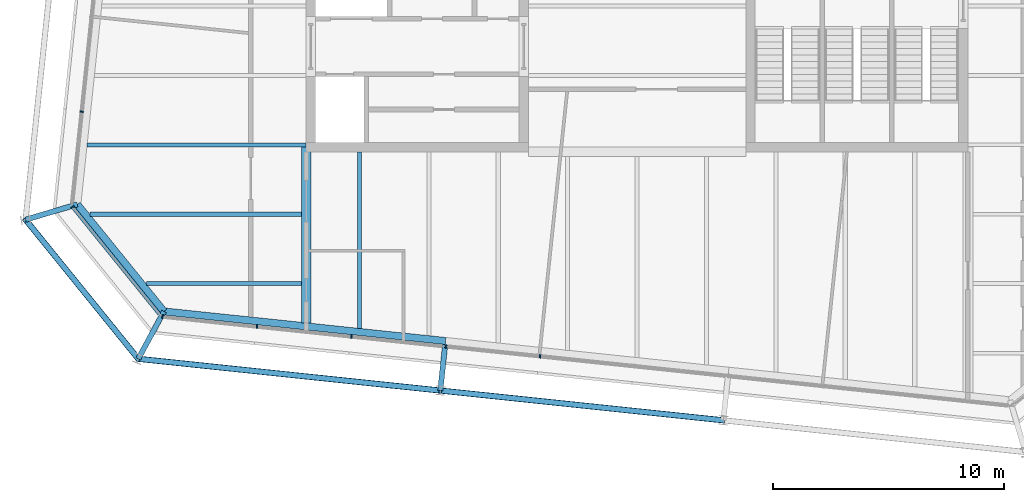
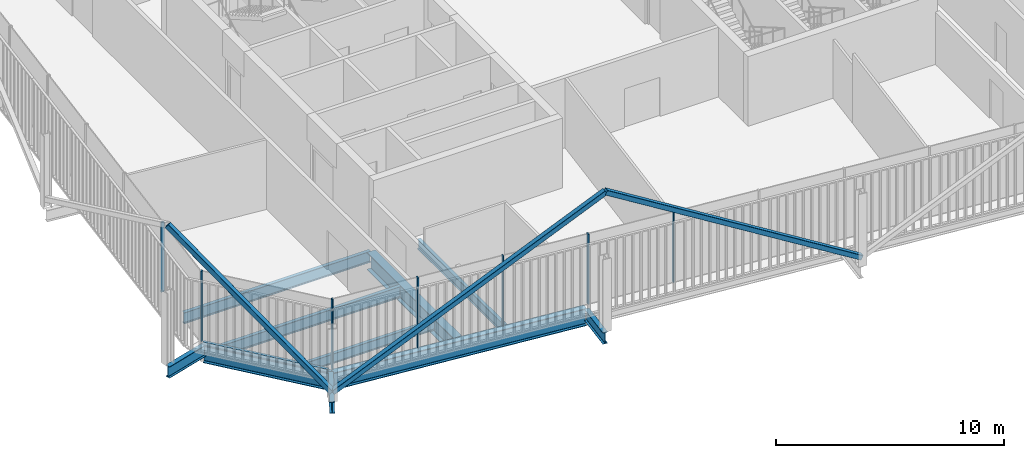
# One storey, part 3 of 21: 11 members, 10 beams, 3 elements without a shape of their own.
"""IFC4 building model written with IfcOpenShell, lengths in metres."""

from ifc_helpers import new_model, si_unit, direction, frame, origin, origin_2d, place, context, subcontext, project, spatial, rectangle, hollow_rectangle, i_section, extrude, material, layer, layer_set, material_profile, profile_set, type_object, element, aggregate, save


model = new_model("IFC4")

# Units and contexts
model_context = context("Model", 3, precision=1e-05, world=origin(), true_north=direction((0.0, 1.0)))
body_context = subcontext(model_context, "Body", "Model", "MODEL_VIEW")
ifc_project = project(units=[si_unit("LENGTHUNIT", "METRE"), si_unit("AREAUNIT", "SQUARE_METRE"), si_unit("VOLUMEUNIT", "CUBIC_METRE"), si_unit("PLANEANGLEUNIT", "RADIAN"), si_unit("MASSUNIT", "GRAM", prefix="KILO")], contexts=[model_context])

# Site, building, storey
site_placement = place(None, origin())
site = spatial("IfcSite", under=ifc_project, at=site_placement, CompositionType="ELEMENT")
building_placement = place(site_placement, origin())
building = spatial("IfcBuilding", under=site, at=building_placement, Name="Millrace Tower", CompositionType="ELEMENT")
storey_placement = place(building_placement, frame((0.0, 0.0, 299.39990234375)))
storey = spatial("IfcBuildingStorey", under=building, at=storey_placement, Name="L69", CompositionType="ELEMENT", Elevation=299.39990234375)

# Curtain wall, member
ifc_material_1 = material(Name="Aluminium and glass", Category="aluminium")
ifc_layer = layer(ifc_material_1, 0.14990234375)
ifc_layer_set = layer_set([ifc_layer], Name="Aluminium and glass")
curtain_wall_type = type_object("IfcCurtainWallType", Name="CW-1 office vision curtain wall", PredefinedType="NOTDEFINED", material=ifc_layer_set)
placement = place(storey_placement, origin())
curtain_wall_1 = element("IfcCurtainWall", 1, at=placement, inside=storey, type_object=curtain_wall_type, Name="Curtain wall E-F01 L69", PredefinedType="NOTDEFINED")
ifc_material_2 = material(Name="Aluminium", Category="aluminium")
ifc_material_profile_1 = material_profile(ifc_material_2, rectangle(XDim=0.06494140625, YDim=0.14990234375, at=origin_2d()))
ifc_profile_set_1 = profile_set([ifc_material_profile_1], Name="Aluminium")
member_type_1 = type_object("IfcMemberType", Name="CW-1 office vision curtain wall mullion", PredefinedType="MULLION", material=ifc_profile_set_1)
member_1_placement = place(storey_placement, frame((-24.391845703125, -11.693359375, 0.14013671875), z_axis=(0.0, 0.0, 1.0), x_axis=(0.629320278945, -0.777146052237, 0.0)))
member_1 = element("IfcMember", 2, at=member_1_placement, type_object=member_type_1, Name="CW1 mullion E-F01.1", PredefinedType="MULLION", context=body_context, shape_type="SweptSolid", body=[
    extrude(rectangle(XDim=0.06494140625, YDim=0.14990234375, at=origin_2d()), origin(), (0.0, 0.0, 1.0), 3.760009765625),
])

# Curtain wall, members
curtain_wall_2 = element("IfcCurtainWall", 3, at=placement, inside=storey, type_object=curtain_wall_type, Name="Curtain wall E-F02 L69", PredefinedType="NOTDEFINED")
member_2_placement = place(storey_placement, frame((-20.50244140625, -16.4248046875, 0.14013671875), z_axis=(0.0, 0.0, 1.0), x_axis=(0.994521896217, -0.104528455196, 0.0)))
member_2 = element("IfcMember", 4, at=member_2_placement, type_object=member_type_1, Name="CW1 mullion E-F02.1", PredefinedType="MULLION", context=body_context, shape_type="SweptSolid", body=[
    extrude(rectangle(XDim=0.06494140625, YDim=0.14990234375, at=origin_2d()), origin(), (0.0, 0.0, 1.0), 3.760009765625),
])
member_3_placement = place(storey_placement, frame((-16.425048828125, -16.853271484375, 0.14013671875), z_axis=(0.0, 0.0, 1.0), x_axis=(0.994521896217, -0.104528455196, 0.0)))
member_3 = element("IfcMember", 5, at=member_3_placement, type_object=member_type_1, Name="CW1 mullion E-F02.2", PredefinedType="MULLION", context=body_context, shape_type="SweptSolid", body=[
    extrude(rectangle(XDim=0.06494140625, YDim=0.14990234375, at=origin_2d()), origin(), (0.0, 0.0, 1.0), 3.760009765625),
])
member_4_placement = place(storey_placement, frame((-12.347412109375, -17.281982421875, 0.14013671875), z_axis=(0.0, 0.0, 1.0), x_axis=(0.994521896217, -0.104528455196, 0.0)))
member_4 = element("IfcMember", 6, at=member_4_placement, type_object=member_type_1, Name="CW1 mullion E-F02.3", PredefinedType="MULLION", context=body_context, shape_type="SweptSolid", body=[
    extrude(rectangle(XDim=0.06494140625, YDim=0.14990234375, at=origin_2d()), origin(), (0.0, 0.0, 1.0), 3.760009765625),
])
member_5_placement = place(storey_placement, frame((-8.269775390625, -17.71044921875, 0.14013671875), z_axis=(0.0, 0.0, 1.0), x_axis=(0.994521896217, -0.104528455196, 0.0)))
member_5 = element("IfcMember", 7, at=member_5_placement, type_object=member_type_1, Name="CW1 mullion E-F02.4", PredefinedType="MULLION", context=body_context, shape_type="SweptSolid", body=[
    extrude(rectangle(XDim=0.06494140625, YDim=0.14990234375, at=origin_2d()), origin(), (0.0, 0.0, 1.0), 3.760009765625),
])
member_6_placement = place(storey_placement, frame((-4.1923828125, -18.13916015625, 0.14013671875), z_axis=(0.0, 0.0, 1.0), x_axis=(0.994521896217, -0.104528455196, 0.0)))
member_6 = element("IfcMember", 8, at=member_6_placement, type_object=member_type_1, Name="CW1 mullion E-F02.5", PredefinedType="MULLION", context=body_context, shape_type="SweptSolid", body=[
    extrude(rectangle(XDim=0.06494140625, YDim=0.14990234375, at=origin_2d()), origin(), (0.0, 0.0, 1.0), 3.760009765625),
])
aggregate(curtain_wall_2, [member_2, member_3, member_4, member_5, member_6])

# Curtain wall, member
curtain_wall_3 = element("IfcCurtainWall", 9, at=placement, inside=storey, type_object=curtain_wall_type, Name="Curtain wall E-F08 L69", PredefinedType="NOTDEFINED")
member_7_placement = place(storey_placement, frame((-24.00341796875, -7.56787109375, 0.14013671875), z_axis=(0.0, 0.0, 1.0), x_axis=(-0.104528455196, -0.994521896217, 0.0)))
member_7 = element("IfcMember", 10, at=member_7_placement, type_object=member_type_1, Name="CW1 mullion E-F08.9", PredefinedType="MULLION", context=body_context, shape_type="SweptSolid", body=[
    extrude(rectangle(XDim=0.06494140625, YDim=0.14990234375, at=origin_2d()), origin(), (0.0, 0.0, 1.0), 3.760009765625),
])
aggregate(curtain_wall_3, [member_7])

# Member
ifc_material_3 = material(Name="Aluminium", Category="aluminium")
ifc_material_profile_2 = material_profile(ifc_material_3, rectangle(XDim=0.14990234375, YDim=0.139892578125, at=origin_2d()))
ifc_profile_set_2 = profile_set([ifc_material_profile_2], Name="Aluminium")
member_type_2 = type_object("IfcMemberType", Name="CW-1 office vision curtain wall transom", PredefinedType="USERDEFINED", material=ifc_profile_set_2)
member_8_placement = place(storey_placement, frame((-24.349365234375, -11.745849609375, 0.070068359375), z_axis=(0.629321221277, -0.777145289151, 0.0), x_axis=(0.777145289151, 0.629321221277, 0.0)))
member_8 = element("IfcMember", 11, at=member_8_placement, type_object=member_type_2, Name="CW1 transom E-F01.1", ObjectType="TRANSOM", PredefinedType="USERDEFINED", context=body_context, shape_type="SweptSolid", body=[
    extrude(rectangle(XDim=0.14990234375, YDim=0.139892578125, at=origin_2d()), origin(), (0.0, 0.0, 1.0), 5.881103515625),
])

aggregate(curtain_wall_1, [member_1, member_8])

# Members
ifc_material_4 = material(Name="Steel ASTM A500 Grade C", Category="steel")
ifc_material_profile_3 = material_profile(ifc_material_4, hollow_rectangle(XDim=0.25390625, YDim=0.25390625, WallThickness=0.0126953125, InnerFilletRadius=0.00634765625, OuterFilletRadius=0.01904296875, at=origin_2d()))
ifc_profile_set_3 = profile_set([ifc_material_profile_3], Name="Steel ASTM A500 Grade C")
member_type_3 = type_object("IfcMemberType", Name="Exoskeleton brace HSS10x10x1/2", PredefinedType="BRACE", material=ifc_profile_set_3)
member_9_placement = place(storey_placement, frame((-21.559814453125, -18.249267578125, 0.400146484375), z_axis=(-0.466694392708, 0.57631352586, 0.670864415308), x_axis=(-0.777142728993, -0.62932438279, 0.0)))
element("IfcMember", 12, at=member_9_placement, inside=storey, type_object=member_type_3, Name="BRC-E-L69-01", PredefinedType="BRACE", context=body_context, shape_type="SweptSolid", body=[
    extrude(hollow_rectangle(XDim=0.25390625, YDim=0.25390625, WallThickness=0.0126953125, InnerFilletRadius=0.00634765625, OuterFilletRadius=0.01904296875, at=origin_2d()), origin(), (0.0, 0.0, 1.0), 10.434326171875),
])
member_10_placement = place(storey_placement, frame((-21.559814453125, -18.249267578125, 0.400146484375), z_axis=(0.877568210125, -0.092238278747, 0.470495628578), x_axis=(0.104530865473, 0.994521642883, 0.0)))
element("IfcMember", 13, at=member_10_placement, inside=storey, type_object=member_type_3, Name="BRC-E-L69-02", PredefinedType="BRACE", context=body_context, shape_type="SweptSolid", body=[
    extrude(hollow_rectangle(XDim=0.25390625, YDim=0.25390625, WallThickness=0.0126953125, InnerFilletRadius=0.00634765625, OuterFilletRadius=0.01904296875, at=origin_2d()), origin(), (0.0, 0.0, 1.0), 14.8779296875),
])
member_11_placement = place(storey_placement, frame((3.729248046875, -20.9072265625, 0.400146484375), z_axis=(-0.864351522622, 0.090842732624, 0.494615045537), x_axis=(-0.104523600289, -0.994522406476, 0.0)))
element("IfcMember", 14, at=member_11_placement, inside=storey, type_object=member_type_3, Name="BRC-E-L69-03", PredefinedType="BRACE", context=body_context, shape_type="SweptSolid", body=[
    extrude(hollow_rectangle(XDim=0.25390625, YDim=0.25390625, WallThickness=0.0126953125, InnerFilletRadius=0.00634765625, OuterFilletRadius=0.01904296875, at=origin_2d()), origin(), (0.0, 0.0, 1.0), 14.15234375),
])

# Beams
ifc_material_5 = material(Name="Steel ASTM A992 Grade 50", Category="steel")
ifc_material_profile_4 = material_profile(ifc_material_5, i_section(OverallWidth=0.1650390625, OverallDepth=0.52587890625, WebThickness=0.0087890625, FlangeThickness=0.011474609375, FilletRadius=0.0126953125, at=origin_2d()))
ifc_profile_set_4 = profile_set([ifc_material_profile_4], Name="Steel ASTM A992 Grade 50")
beam_type_1 = type_object("IfcBeamType", Name="Floor beam W21x44", PredefinedType="JOIST", material=ifc_profile_set_4)
beam_1_placement = place(storey_placement, frame((-12.0, -16.93408203125, -0.4228515625), z_axis=(0.0, 1.0, 0.0), x_axis=(-1.0, 0.0, 0.0)))
element("IfcBeam", 15, at=beam_1_placement, inside=storey, type_object=beam_type_1, Name="BM-E-L69-S1-S037", PredefinedType="JOIST", context=body_context, shape_type="SweptSolid", body=[
    extrude(i_section(OverallWidth=0.1650390625, OverallDepth=0.52587890625, WebThickness=0.0087890625, FlangeThickness=0.011474609375, FilletRadius=0.0126953125, at=origin_2d()), origin(), (0.0, 0.0, 1.0), 7.634033203125),
])
beam_2_placement = place(storey_placement, frame((-21.214111328125, -15.0, -0.4228515625), z_axis=(1.0, 0.0, 0.0), x_axis=(0.0, 1.0, 0.0)))
element("IfcBeam", 16, at=beam_2_placement, inside=storey, type_object=beam_type_1, Name="BM-E-L69-S1-S002", PredefinedType="JOIST", context=body_context, shape_type="SweptSolid", body=[
    extrude(i_section(OverallWidth=0.1650390625, OverallDepth=0.52587890625, WebThickness=0.0087890625, FlangeThickness=0.011474609375, FilletRadius=0.0126953125, at=origin_2d()), origin(), (0.0, 0.0, 1.0), 6.70458984375),
])
ifc_material_6 = material(Name="Steel ASTM A992 Grade 50", Category="steel")
ifc_material_profile_5 = material_profile(ifc_material_6, i_section(OverallWidth=0.177978515625, OverallDepth=0.599365234375, WebThickness=0.010009765625, FlangeThickness=0.012939453125, FilletRadius=0.012939453125, at=origin_2d()))
ifc_profile_set_5 = profile_set([ifc_material_profile_5], Name="Steel ASTM A992 Grade 50")
beam_type_2 = type_object("IfcBeamType", Name="Floor beam W24x55", PredefinedType="JOIST", material=ifc_profile_set_5)
beam_3_placement = place(storey_placement, frame((-23.76953125, -9.0, -0.459716796875), z_axis=(1.0, 0.0, 0.0), x_axis=(0.0, 1.0, 0.0)))
element("IfcBeam", 17, at=beam_3_placement, inside=storey, type_object=beam_type_2, Name="BM-E-L69-S1-S006", PredefinedType="JOIST", context=body_context, shape_type="SweptSolid", body=[
    extrude(i_section(OverallWidth=0.177978515625, OverallDepth=0.599365234375, WebThickness=0.010009765625, FlangeThickness=0.012939453125, FilletRadius=0.012939453125, at=origin_2d()), origin(), (0.0, 0.0, 1.0), 9.469482421875),
])
beam_4_placement = place(storey_placement, frame((-23.635498046875, -12.0, -0.459716796875), z_axis=(1.0, 0.0, 0.0), x_axis=(0.0, 1.0, 0.0)))
element("IfcBeam", 18, at=beam_4_placement, inside=storey, type_object=beam_type_2, Name="BM-E-L69-S1-S004", PredefinedType="JOIST", context=body_context, shape_type="SweptSolid", body=[
    extrude(i_section(OverallWidth=0.177978515625, OverallDepth=0.599365234375, WebThickness=0.010009765625, FlangeThickness=0.012939453125, FilletRadius=0.012939453125, at=origin_2d()), origin(), (0.0, 0.0, 1.0), 9.1259765625),
])
ifc_material_7 = material(Name="Steel ASTM A992 Grade 50", Category="steel")
ifc_material_profile_6 = material_profile(ifc_material_7, i_section(OverallWidth=0.419189453125, OverallDepth=0.927001953125, WebThickness=0.019287109375, FlangeThickness=0.031982421875, FilletRadius=0.024169921875, at=origin_2d()))
ifc_profile_set_6 = profile_set([ifc_material_profile_6], Name="Steel ASTM A992 Grade 50")
beam_type_3 = type_object("IfcBeamType", Name="Girder short span W36x231", PredefinedType="BEAM", material=ifc_profile_set_6)
beam_5_placement = place(storey_placement, frame((-14.300048828125, -16.6923828125, -0.62353515625), z_axis=(0.0, 1.0, 0.0), x_axis=(-1.0, 0.0, 0.0)))
element("IfcBeam", 19, at=beam_5_placement, inside=storey, type_object=beam_type_3, Name="BM-E-L69-S1-G055", PredefinedType="BEAM", context=body_context, shape_type="SweptSolid", body=[
    extrude(i_section(OverallWidth=0.419189453125, OverallDepth=0.927001953125, WebThickness=0.019287109375, FlangeThickness=0.031982421875, FilletRadius=0.024169921875, at=origin_2d()), origin(), (0.0, 0.0, 1.0), 7.600341796875),
])
ifc_material_8 = material(Name="Steel ASTM A992 Grade 50", Category="steel")
ifc_material_profile_7 = material_profile(ifc_material_8, i_section(OverallWidth=0.23046875, OverallDepth=0.6171875, WebThickness=0.01318359375, FlangeThickness=0.022216796875, FilletRadius=0.012939453125, at=origin_2d()))
ifc_profile_set_7 = profile_set([ifc_material_profile_7], Name="Steel ASTM A992 Grade 50")
beam_type_4 = type_object("IfcBeamType", Name="Link beam W24x94", PredefinedType="BEAM", material=ifc_profile_set_7)
beam_6_placement = place(storey_placement, frame((-24.1943359375, -11.57373046875, -0.468505859375), z_axis=(-0.958815015936, -0.284031275065, 0.0), x_axis=(0.284031275065, -0.958815015936, 0.0)))
element("IfcBeam", 20, at=beam_6_placement, inside=storey, type_object=beam_type_4, Name="LNK-E-L69-S1-01", PredefinedType="BEAM", context=body_context, shape_type="SweptSolid", body=[
    extrude(i_section(OverallWidth=0.23046875, OverallDepth=0.6171875, WebThickness=0.01318359375, FlangeThickness=0.022216796875, FilletRadius=0.012939453125, at=origin_2d()), origin(), (0.0, 0.0, 1.0), 2.3310546875),
])
beam_7_placement = place(storey_placement, frame((-8.29443359375, -17.632568359375, -0.468505859375), z_axis=(-0.104494148666, -0.99452550138, 0.0), x_axis=(0.99452550138, -0.104494148666, 0.0)))
element("IfcBeam", 21, at=beam_7_placement, inside=storey, type_object=beam_type_4, Name="LNK-E-L69-S1-15", PredefinedType="BEAM", context=body_context, shape_type="SweptSolid", body=[
    extrude(i_section(OverallWidth=0.23046875, OverallDepth=0.6171875, WebThickness=0.01318359375, FlangeThickness=0.022216796875, FilletRadius=0.012939453125, at=origin_2d()), origin(), (0.0, 0.0, 1.0), 2.0),
])
beam_8_placement = place(storey_placement, frame((-20.447509765625, -16.20068359375, -0.468505859375), z_axis=(-0.477163510307, -0.87881453358, 0.0), x_axis=(0.87881453358, -0.477163510307, 0.0)))
element("IfcBeam", 22, at=beam_8_placement, inside=storey, type_object=beam_type_4, Name="LNK-E-L69-S1-16", PredefinedType="BEAM", context=body_context, shape_type="SweptSolid", body=[
    extrude(i_section(OverallWidth=0.23046875, OverallDepth=0.6171875, WebThickness=0.01318359375, FlangeThickness=0.022216796875, FilletRadius=0.012939453125, at=origin_2d()), origin(), (0.0, 0.0, 1.0), 2.3310546875),
])
ifc_material_9 = material(Name="Steel ASTM A992 Grade 50", Category="steel")
ifc_material_profile_8 = material_profile(ifc_material_9, i_section(OverallWidth=0.307373046875, OverallDepth=0.927001953125, WebThickness=0.01953125, FlangeThickness=0.031982421875, FilletRadius=0.01904296875, at=origin_2d()))
ifc_profile_set_8 = profile_set([ifc_material_profile_8], Name="Steel ASTM A992 Grade 50")
beam_type_5 = type_object("IfcBeamType", Name="Ring beam medium span W36x194", PredefinedType="SPANDREL", material=ifc_profile_set_8)
beam_9_placement = place(storey_placement, frame((-8.2783203125, -17.479736328125, -0.62353515625), z_axis=(-0.994521730693, 0.104530030035, 0.0), x_axis=(-0.104530030035, -0.994521730693, 0.0)))
element("IfcBeam", 23, at=beam_9_placement, inside=storey, type_object=beam_type_5, Name="RNG-E-L69-S1-15", PredefinedType="SPANDREL", context=body_context, shape_type="SweptSolid", body=[
    extrude(i_section(OverallWidth=0.307373046875, OverallDepth=0.927001953125, WebThickness=0.01953125, FlangeThickness=0.031982421875, FilletRadius=0.01904296875, at=origin_2d()), origin(), (0.0, 0.0, 1.0), 12.236328125),
])
ifc_material_10 = material(Name="Steel ASTM A992 Grade 50", Category="steel")
ifc_material_profile_9 = material_profile(ifc_material_10, i_section(OverallWidth=0.307373046875, OverallDepth=0.927001953125, WebThickness=0.01953125, FlangeThickness=0.031982421875, FilletRadius=0.01904296875, at=origin_2d()))
ifc_profile_set_9 = profile_set([ifc_material_profile_9], Name="Steel ASTM A992 Grade 50")
beam_type_6 = type_object("IfcBeamType", Name="Ring beam short span W36x194", PredefinedType="SPANDREL", material=ifc_profile_set_9)
beam_10_placement = place(storey_placement, frame((-20.447509765625, -16.20068359375, -0.62353515625), z_axis=(-0.629319722443, 0.777146502883, 0.0), x_axis=(-0.777146502883, -0.629319722443, 0.0)))
element("IfcBeam", 24, at=beam_10_placement, inside=storey, type_object=beam_type_6, Name="RNG-E-L69-S1-16", PredefinedType="SPANDREL", context=body_context, shape_type="SweptSolid", body=[
    extrude(i_section(OverallWidth=0.307373046875, OverallDepth=0.927001953125, WebThickness=0.01953125, FlangeThickness=0.031982421875, FilletRadius=0.01904296875, at=origin_2d()), origin(), (0.0, 0.0, 1.0), 5.953857421875),
])

save(model, "model.ifc")
